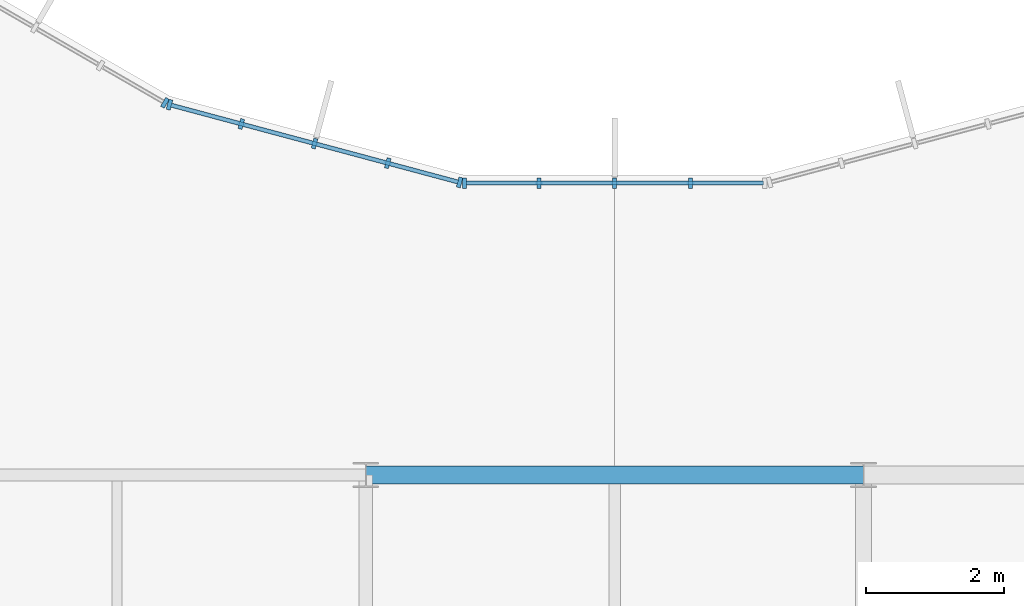
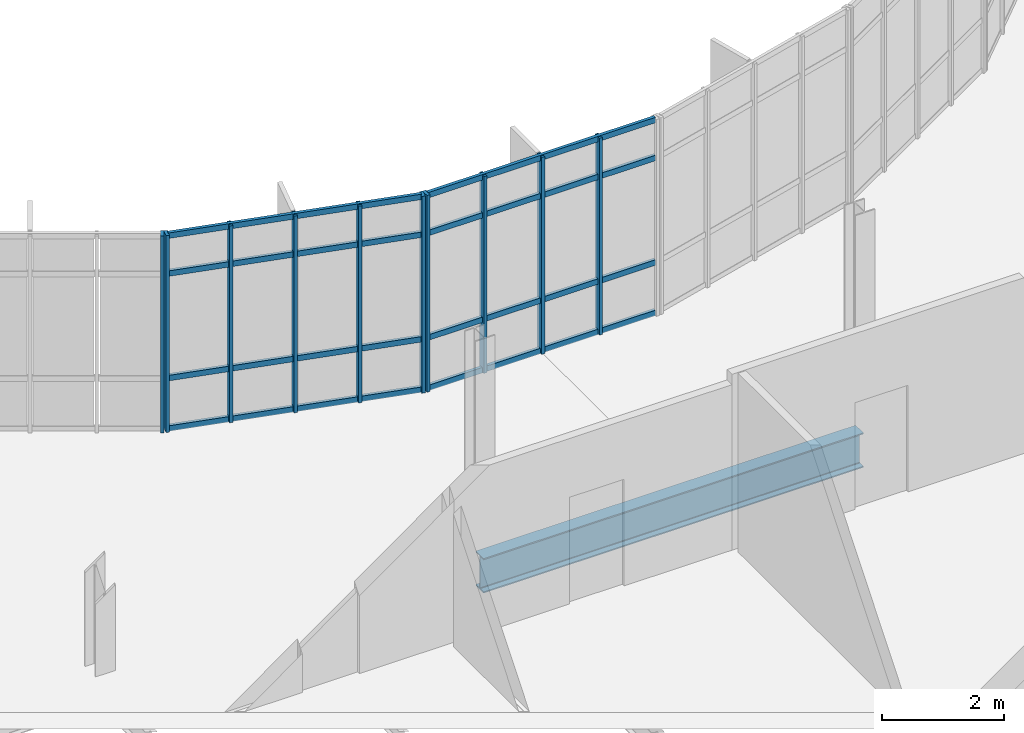
# One storey, part 41 of 119: 18 members, 1 beam, 3 elements without a shape of their own.
"""IFC4 building model written with IfcOpenShell, lengths in metres."""

from ifc_helpers import new_model, si_unit, direction, frame, origin, origin_2d, place, context, subcontext, project, spatial, rectangle, i_section, extrude, material, material_profile, profile_set, type_object, element, aggregate, save


model = new_model("IFC4")

# Units and contexts
model_context = context("Model", 3, precision=1e-05, world=origin(), true_north=direction((0.0, 1.0)))
body_context = subcontext(model_context, "Body", "Model", "MODEL_VIEW")
ifc_project = project(units=[si_unit("LENGTHUNIT", "METRE"), si_unit("AREAUNIT", "SQUARE_METRE"), si_unit("VOLUMEUNIT", "CUBIC_METRE"), si_unit("PLANEANGLEUNIT", "RADIAN"), si_unit("MASSUNIT", "GRAM", prefix="KILO")], contexts=[model_context])

# Site, building, storey
site_placement = place(None, origin())
site = spatial("IfcSite", under=ifc_project, at=site_placement, CompositionType="ELEMENT")
building_placement = place(site_placement, origin())
building = spatial("IfcBuilding", under=site, at=building_placement, Name="Qelthora Terrace Specialist Clinic", CompositionType="ELEMENT")
storey_placement = place(building_placement, frame((0.0, 0.0, 4.800048828125)))
storey = spatial("IfcBuildingStorey", under=building, at=storey_placement, Name="L01", CompositionType="ELEMENT", Elevation=4.800048828125)

# Beam
ifc_material_1 = material(Name="Steel S355", Category="steel")
ifc_material_profile_1 = material_profile(ifc_material_1, i_section(OverallWidth=0.256103515625, OverallDepth=0.693115234375, WebThickness=0.014404296875, FlangeThickness=0.023681640625, FilletRadius=0.01806640625, at=origin_2d()), Name="W690X170")
ifc_profile_set_1 = profile_set([ifc_material_profile_1], Name="Steel S355")
beam_type = type_object("IfcBeamType", Name="BM-W690X170", PredefinedType="BEAM", material=ifc_profile_set_1)
beam_placement = place(storey_placement, frame((122.39990234375, 42.0, -0.596435546875), z_axis=(1.0, 0.0, 0.0), x_axis=(0.0, 1.0, 0.0)))
element("IfcBeam", 1, at=beam_placement, inside=storey, type_object=beam_type, Name="Girder BMX-L01-0225", PredefinedType="BEAM", context=body_context, shape_type="SweptSolid", body=[
    extrude(i_section(OverallWidth=0.256103515625, OverallDepth=0.693115234375, WebThickness=0.014404296875, FlangeThickness=0.023681640625, FilletRadius=0.01806640625, at=origin_2d()), origin(), (0.0, 0.0, 1.0), 7.2001953125),
])

# Curtain wall, member
ifc_material_2 = material(Name="Aluminium anodized bronze", Category="aluminium")
curtain_wall_type = type_object("IfcCurtainWallType", Name="CW-CRTE-UPP", PredefinedType="NOTDEFINED", material=ifc_material_2)
curtain_wall_1_placement = place(storey_placement, origin())
curtain_wall_1 = element("IfcCurtainWall", 2, at=curtain_wall_1_placement, inside=storey, type_object=curtain_wall_type, Name="Curtain wall CW-CE-L01-16", PredefinedType="NOTDEFINED")
ifc_material_profile_2 = material_profile(ifc_material_2, rectangle(XDim=0.06005859375, YDim=0.14990234375, at=origin_2d()), Name="CWM60X150")
ifc_profile_set_2 = profile_set([ifc_material_profile_2], Name="Aluminium anodized bronze")
member_type_1 = type_object("IfcMemberType", Name="CWM-60X150", PredefinedType="MULLION", material=ifc_profile_set_2)
member_1_placement = place(storey_placement, frame((119.49365234375, 47.385009765625, 0.0), z_axis=(0.0, 0.0, 1.0), x_axis=(0.86602538709, -0.500000028915, 0.0)))
member_1 = element("IfcMember", 3, at=member_1_placement, type_object=member_type_1, Name="CW-CE-L01-16 mullion 5", PredefinedType="MULLION", context=body_context, shape_type="SweptSolid", body=[
    extrude(rectangle(XDim=0.06005859375, YDim=0.14990234375, at=origin_2d()), origin(), (0.0, 0.0, 1.0), 3.945068359375),
])
aggregate(curtain_wall_1, [member_1])

# Curtain wall, members
curtain_wall_2_placement = place(storey_placement, origin())
curtain_wall_2 = element("IfcCurtainWall", 4, at=curtain_wall_2_placement, inside=storey, type_object=curtain_wall_type, Name="Curtain wall CW-CE-L01-17", PredefinedType="NOTDEFINED")
member_2_placement = place(storey_placement, frame((119.55908203125, 47.357666015625, 0.0), z_axis=(0.0, 0.0, 1.0), x_axis=(0.965925660235, -0.258819664824, 0.0)))
member_2 = element("IfcMember", 5, at=member_2_placement, type_object=member_type_1, Name="CW-CE-L01-17 mullion 1", PredefinedType="MULLION", context=body_context, shape_type="SweptSolid", body=[
    extrude(rectangle(XDim=0.06005859375, YDim=0.14990234375, at=origin_2d()), origin(), (0.0, 0.0, 1.0), 3.945068359375),
])
member_3_placement = place(storey_placement, frame((120.598876953125, 47.0791015625, 0.0), z_axis=(0.0, 0.0, 1.0), x_axis=(0.965925660235, -0.258819664824, 0.0)))
member_3 = element("IfcMember", 6, at=member_3_placement, type_object=member_type_1, Name="CW-CE-L01-17 mullion 2", PredefinedType="MULLION", context=body_context, shape_type="SweptSolid", body=[
    extrude(rectangle(XDim=0.06005859375, YDim=0.14990234375, at=origin_2d()), origin(), (0.0, 0.0, 1.0), 3.945068359375),
])
member_4_placement = place(storey_placement, frame((121.657958984375, 46.79541015625, 0.0), z_axis=(0.0, 0.0, 1.0), x_axis=(0.965925660235, -0.258819664824, 0.0)))
member_4 = element("IfcMember", 7, at=member_4_placement, type_object=member_type_1, Name="CW-CE-L01-17 mullion 3", PredefinedType="MULLION", context=body_context, shape_type="SweptSolid", body=[
    extrude(rectangle(XDim=0.06005859375, YDim=0.14990234375, at=origin_2d()), origin(), (0.0, 0.0, 1.0), 3.945068359375),
])
member_5_placement = place(storey_placement, frame((122.717041015625, 46.511474609375, 0.0), z_axis=(0.0, 0.0, 1.0), x_axis=(0.965925660235, -0.258819664824, 0.0)))
member_5 = element("IfcMember", 8, at=member_5_placement, type_object=member_type_1, Name="CW-CE-L01-17 mullion 4", PredefinedType="MULLION", context=body_context, shape_type="SweptSolid", body=[
    extrude(rectangle(XDim=0.06005859375, YDim=0.14990234375, at=origin_2d()), origin(), (0.0, 0.0, 1.0), 3.945068359375),
])
member_6_placement = place(storey_placement, frame((123.7568359375, 46.23291015625, 0.0), z_axis=(0.0, 0.0, 1.0), x_axis=(0.965925660235, -0.258819664824, 0.0)))
member_6 = element("IfcMember", 9, at=member_6_placement, type_object=member_type_1, Name="CW-CE-L01-17 mullion 5", PredefinedType="MULLION", context=body_context, shape_type="SweptSolid", body=[
    extrude(rectangle(XDim=0.06005859375, YDim=0.14990234375, at=origin_2d()), origin(), (0.0, 0.0, 1.0), 3.945068359375),
])

curtain_wall_3_placement = place(storey_placement, origin())
curtain_wall_3 = element("IfcCurtainWall", 10, at=curtain_wall_3_placement, inside=storey, type_object=curtain_wall_type, Name="Curtain wall CW-CE-L01-18", PredefinedType="NOTDEFINED")
member_7_placement = place(storey_placement, frame((123.8271484375, 46.2236328125, 0.0), z_axis=(0.0, 0.0, 1.0), x_axis=(1.0, 0.0, 0.0)))
member_7 = element("IfcMember", 11, at=member_7_placement, type_object=member_type_1, Name="CW-CE-L01-18 mullion 1", PredefinedType="MULLION", context=body_context, shape_type="SweptSolid", body=[
    extrude(rectangle(XDim=0.06005859375, YDim=0.14990234375, at=origin_2d()), origin(), (0.0, 0.0, 1.0), 3.945068359375),
])
member_8_placement = place(storey_placement, frame((124.903564453125, 46.2236328125, 0.0), z_axis=(0.0, 0.0, 1.0), x_axis=(1.0, 0.0, 0.0)))
member_8 = element("IfcMember", 12, at=member_8_placement, type_object=member_type_1, Name="CW-CE-L01-18 mullion 2", PredefinedType="MULLION", context=body_context, shape_type="SweptSolid", body=[
    extrude(rectangle(XDim=0.06005859375, YDim=0.14990234375, at=origin_2d()), origin(), (0.0, 0.0, 1.0), 3.945068359375),
])
member_9_placement = place(storey_placement, frame((126.0, 46.2236328125, 0.0), z_axis=(0.0, 0.0, 1.0), x_axis=(1.0, 0.0, 0.0)))
member_9 = element("IfcMember", 13, at=member_9_placement, type_object=member_type_1, Name="CW-CE-L01-18 mullion 3", PredefinedType="MULLION", context=body_context, shape_type="SweptSolid", body=[
    extrude(rectangle(XDim=0.06005859375, YDim=0.14990234375, at=origin_2d()), origin(), (0.0, 0.0, 1.0), 3.945068359375),
])
member_10_placement = place(storey_placement, frame((127.096435546875, 46.2236328125, 0.0), z_axis=(0.0, 0.0, 1.0), x_axis=(1.0, 0.0, 0.0)))
member_10 = element("IfcMember", 14, at=member_10_placement, type_object=member_type_1, Name="CW-CE-L01-18 mullion 4", PredefinedType="MULLION", context=body_context, shape_type="SweptSolid", body=[
    extrude(rectangle(XDim=0.06005859375, YDim=0.14990234375, at=origin_2d()), origin(), (0.0, 0.0, 1.0), 3.945068359375),
])

# Member
ifc_material_profile_3 = material_profile(ifc_material_2, rectangle(XDim=0.06005859375, YDim=0.110107421875, at=origin_2d()), Name="CWT60X110")
ifc_profile_set_3 = profile_set([ifc_material_profile_3], Name="Aluminium anodized bronze")
member_type_2 = type_object("IfcMemberType", Name="CWT-60X110", PredefinedType="USERDEFINED", material=ifc_profile_set_3)
member_11_placement = place(storey_placement, frame((119.57861328125, 47.3525390625, 0.0400390625), z_axis=(0.965933119212, -0.25879182601, 0.0), x_axis=(0.25879182601, 0.965933119212, 0.0)))
member_11 = element("IfcMember", 15, at=member_11_placement, type_object=member_type_2, Name="CW-CE-L01-17 transom 1", ObjectType="TRANSOM", PredefinedType="USERDEFINED", context=body_context, shape_type="SweptSolid", body=[
    extrude(rectangle(XDim=0.06005859375, YDim=0.110107421875, at=origin_2d()), origin(), (0.0, 0.0, 1.0), 4.3056640625),
])

member_12_placement = place(storey_placement, frame((119.57861328125, 47.3525390625, 1.050048828125), z_axis=(0.965933119212, -0.25879182601, 0.0), x_axis=(0.25879182601, 0.965933119212, 0.0)))
member_12 = element("IfcMember", 16, at=member_12_placement, type_object=member_type_2, Name="CW-CE-L01-17 transom 2", ObjectType="TRANSOM", PredefinedType="USERDEFINED", context=body_context, shape_type="SweptSolid", body=[
    extrude(rectangle(XDim=0.06005859375, YDim=0.110107421875, at=origin_2d()), origin(), (0.0, 0.0, 1.0), 4.3056640625),
])

member_13_placement = place(storey_placement, frame((119.57861328125, 47.3525390625, 3.14501953125), z_axis=(0.965933119212, -0.25879182601, 0.0), x_axis=(0.25879182601, 0.965933119212, 0.0)))
member_13 = element("IfcMember", 17, at=member_13_placement, type_object=member_type_2, Name="CW-CE-L01-17 transom 3", ObjectType="TRANSOM", PredefinedType="USERDEFINED", context=body_context, shape_type="SweptSolid", body=[
    extrude(rectangle(XDim=0.06005859375, YDim=0.110107421875, at=origin_2d()), origin(), (0.0, 0.0, 1.0), 4.3056640625),
])

member_14_placement = place(storey_placement, frame((119.57861328125, 47.3525390625, 3.905029296875), z_axis=(0.965933119212, -0.25879182601, 0.0), x_axis=(0.25879182601, 0.965933119212, 0.0)))
member_14 = element("IfcMember", 18, at=member_14_placement, type_object=member_type_2, Name="CW-CE-L01-17 transom 4", ObjectType="TRANSOM", PredefinedType="USERDEFINED", context=body_context, shape_type="SweptSolid", body=[
    extrude(rectangle(XDim=0.06005859375, YDim=0.110107421875, at=origin_2d()), origin(), (0.0, 0.0, 1.0), 4.3056640625),
])

aggregate(curtain_wall_2, [member_2, member_3, member_4, member_5, member_6, member_11, member_12, member_13, member_14])

member_15_placement = place(storey_placement, frame((123.84716796875, 46.2236328125, 0.0400390625), z_axis=(1.0, 0.0, 0.0), x_axis=(0.0, 1.0, 0.0)))
member_15 = element("IfcMember", 19, at=member_15_placement, type_object=member_type_2, Name="CW-CE-L01-18 transom 1", ObjectType="TRANSOM", PredefinedType="USERDEFINED", context=body_context, shape_type="SweptSolid", body=[
    extrude(rectangle(XDim=0.06005859375, YDim=0.110107421875, at=origin_2d()), origin(), (0.0, 0.0, 1.0), 4.3056640625),
])

member_16_placement = place(storey_placement, frame((123.84716796875, 46.2236328125, 1.050048828125), z_axis=(1.0, 0.0, 0.0), x_axis=(0.0, 1.0, 0.0)))
member_16 = element("IfcMember", 20, at=member_16_placement, type_object=member_type_2, Name="CW-CE-L01-18 transom 2", ObjectType="TRANSOM", PredefinedType="USERDEFINED", context=body_context, shape_type="SweptSolid", body=[
    extrude(rectangle(XDim=0.06005859375, YDim=0.110107421875, at=origin_2d()), origin(), (0.0, 0.0, 1.0), 4.3056640625),
])

member_17_placement = place(storey_placement, frame((123.84716796875, 46.2236328125, 3.14501953125), z_axis=(1.0, 0.0, 0.0), x_axis=(0.0, 1.0, 0.0)))
member_17 = element("IfcMember", 21, at=member_17_placement, type_object=member_type_2, Name="CW-CE-L01-18 transom 3", ObjectType="TRANSOM", PredefinedType="USERDEFINED", context=body_context, shape_type="SweptSolid", body=[
    extrude(rectangle(XDim=0.06005859375, YDim=0.110107421875, at=origin_2d()), origin(), (0.0, 0.0, 1.0), 4.3056640625),
])

member_18_placement = place(storey_placement, frame((123.84716796875, 46.2236328125, 3.905029296875), z_axis=(1.0, 0.0, 0.0), x_axis=(0.0, 1.0, 0.0)))
member_18 = element("IfcMember", 22, at=member_18_placement, type_object=member_type_2, Name="CW-CE-L01-18 transom 4", ObjectType="TRANSOM", PredefinedType="USERDEFINED", context=body_context, shape_type="SweptSolid", body=[
    extrude(rectangle(XDim=0.06005859375, YDim=0.110107421875, at=origin_2d()), origin(), (0.0, 0.0, 1.0), 4.3056640625),
])

aggregate(curtain_wall_3, [member_7, member_8, member_9, member_10, member_15, member_16, member_17, member_18])

save(model, "model.ifc")
